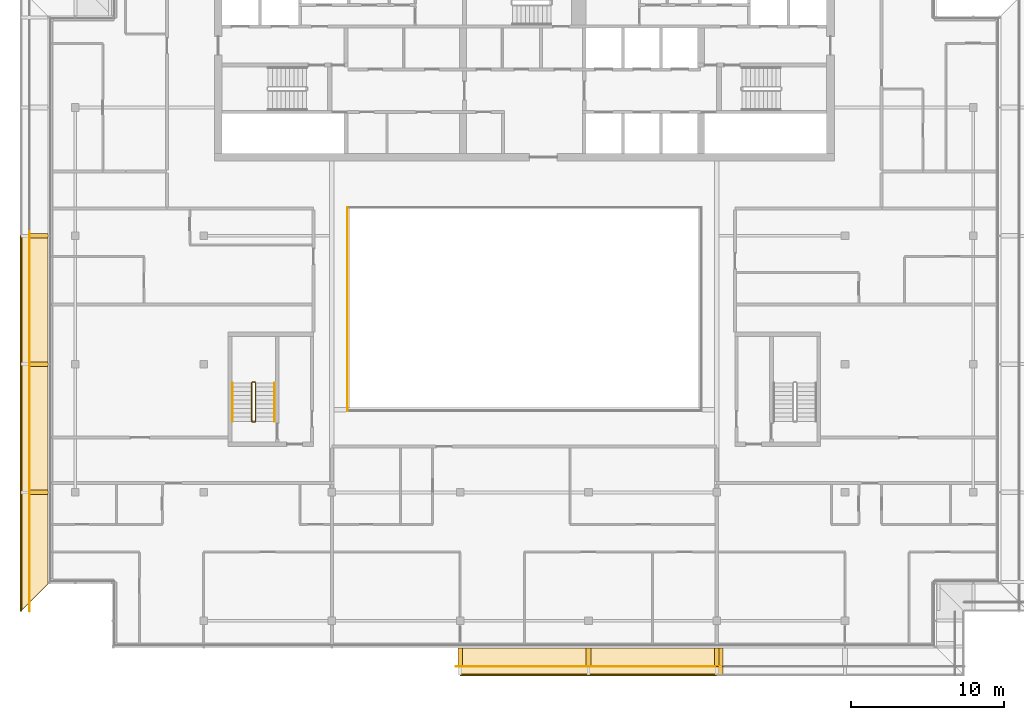
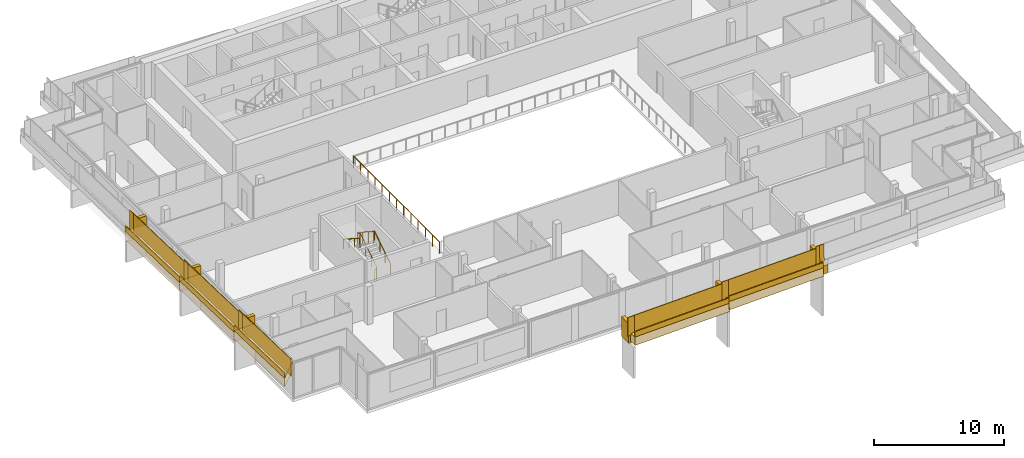
# One storey, part 22 of 26: 17 coverings, 16 railings.
"""IFC4 building model written with IfcOpenShell, lengths in metres."""

import ifcopenshell
import ifcopenshell.guid

model = None  # the IFC model being written
_history = None  # IfcOwnerHistory: only IFC2X3 demands one
_inside = {}  # id of a spatial element -> (the spatial element, [elements in it])
_under = {}  # id of a project, library or spatial element -> (it, [spatial elements below it])
_declared = {}  # id of a project -> (the project, [libraries it declares])
_typed = {}  # id of a type object -> (the type object, [elements of that type])
_made_of = {}  # id of a material, layer set ... -> (it, [elements and type objects made of it])


def new_model(schema):
    """Start an empty IFC model of exactly this schema.

    Asked for "IFC4X3", IfcOpenShell would pick the latest addendum, in which some entities
    have other attributes; the version numbers below select the first issue.
    IFC2X3 requires an IfcOwnerHistory on every rooted entity: one is made here for all.
    """
    global model, _history
    if schema == "IFC4X3":
        model = ifcopenshell.file(schema_version=(4, 3, 0, 0))
    else:
        model = ifcopenshell.file(schema=schema)
    _inside.clear()
    _under.clear()
    _declared.clear()
    _typed.clear()
    _made_of.clear()
    _history = None
    if model.schema == "IFC2X3":
        org = make("IfcOrganization", Name="unknown")
        user = make(
            "IfcPersonAndOrganization",
            ThePerson=make("IfcPerson", FamilyName="unknown"),
            TheOrganization=org,
        )
        app = make(
            "IfcApplication",
            ApplicationDeveloper=org,
            Version="unknown",
            ApplicationFullName="unknown",
            ApplicationIdentifier="unknown",
        )
        _history = make(
            "IfcOwnerHistory",
            OwningUser=user,
            OwningApplication=app,
            ChangeAction="ADDED",
            CreationDate=0,
        )
    return model


def make(cls, **values):
    """One entity of the class cls with the attributes given. An attribute that is None is left unset."""
    return model.create_entity(
        cls, **{name: value for name, value in values.items() if value is not None}
    )


def rooted(cls, **values):
    """An entity with a GlobalId (a new one), such as an element, a storey or a relation."""
    return make(cls, GlobalId=ifcopenshell.guid.new(), OwnerHistory=_history, **values)


def si_unit(unit_type, name, prefix=None):
    """IfcSIUnit, for example si_unit("LENGTHUNIT", "METRE", prefix="MILLI")."""
    return make("IfcSIUnit", UnitType=unit_type, Prefix=prefix, Name=name)


def assignment(units):
    """IfcUnitAssignment: the units of a project."""
    return None if units is None else make("IfcUnitAssignment", Units=units)


def point(xyz):
    """IfcCartesianPoint."""
    return None if xyz is None else make("IfcCartesianPoint", Coordinates=xyz)


def direction(xyz):
    """IfcDirection."""
    return None if xyz is None else make("IfcDirection", DirectionRatios=xyz)


def frame(location, z_axis=None, x_axis=None):
    """IfcAxis2Placement3D, a coordinate frame: its origin and axes. An axis left out is left unset."""
    return make(
        "IfcAxis2Placement3D",
        Location=point(location),
        Axis=direction(z_axis),
        RefDirection=direction(x_axis),
    )


def frame_2d(location, x_axis=None):
    """IfcAxis2Placement2D, a coordinate frame in the plane: its origin and x axis."""
    return make(
        "IfcAxis2Placement2D", Location=point(location), RefDirection=direction(x_axis)
    )


def origin():
    """The frame at (0, 0, 0) with its axes left unset."""
    return frame((0.0, 0.0, 0.0))


def origin_2d():
    """The frame at (0, 0) in the plane with its x axis left unset."""
    return frame_2d((0.0, 0.0))


def place(relative_to, where):
    """IfcLocalPlacement: puts the frame where relative to a parent placement (None: the world)."""
    return make(
        "IfcLocalPlacement", PlacementRelTo=relative_to, RelativePlacement=where
    )


def context(
    kind, dimensions, precision=None, world=None, true_north=None, identifier=None
):
    """IfcGeometricRepresentationContext, for example the 3D "Model" context."""
    return make(
        "IfcGeometricRepresentationContext",
        ContextIdentifier=identifier,
        ContextType=kind,
        CoordinateSpaceDimension=dimensions,
        Precision=precision,
        WorldCoordinateSystem=world,
        TrueNorth=true_north,
    )


def subcontext(parent, identifier, kind, view, scale=None):
    """IfcGeometricRepresentationSubContext, for example "Body" below "Model"."""
    return make(
        "IfcGeometricRepresentationSubContext",
        ContextIdentifier=identifier,
        ContextType=kind,
        ParentContext=parent,
        TargetScale=scale,
        TargetView=view,
    )


def project(units=None, contexts=None):
    """IfcProject with its units and contexts."""
    return rooted(
        "IfcProject",
        Name="project",
        RepresentationContexts=contexts,
        UnitsInContext=assignment(units),
    )


def spatial(cls, under=None, at=None, **own):
    """A site, building, storey or space (cls), placed at a placement, below another one or the project."""
    s = rooted(cls, ObjectPlacement=at, **own)
    if under is not None:
        _under.setdefault(under.id(), (under, []))[1].append(s)
    return s


def polyline(points):
    """IfcPolyline through the points."""
    return make("IfcPolyline", Points=[point(p) for p in points])


def profile(cls, at=None, kind="AREA", **sizes):
    """A parametric profile (cls). Its sizes go by their IFC names, for example OverallWidth=200.0."""
    return make(cls, ProfileType=kind, Position=at, **sizes)


def rectangle(**sizes):
    """IfcRectangleProfileDef."""
    return profile("IfcRectangleProfileDef", **sizes)


def circle(**sizes):
    """IfcCircleProfileDef."""
    return profile("IfcCircleProfileDef", **sizes)


def outline(outer, holes=None, kind="AREA"):
    """IfcArbitraryClosedProfileDef: a profile drawn as a closed curve; with holes, ...WithVoids."""
    if holes is None:
        return make("IfcArbitraryClosedProfileDef", ProfileType=kind, OuterCurve=outer)
    return make(
        "IfcArbitraryProfileDefWithVoids",
        ProfileType=kind,
        OuterCurve=outer,
        InnerCurves=holes,
    )


def extrude(swept, where, along, depth):
    """IfcExtrudedAreaSolid: the profile swept, set in the frame where, extruded along a direction by depth."""
    return make(
        "IfcExtrudedAreaSolid",
        SweptArea=swept,
        Position=where,
        ExtrudedDirection=direction(along),
        Depth=depth,
    )


def shape(context_of_items, identifier, shape_type, items):
    """IfcShapeRepresentation: the items that make up one representation, for example the "Body"."""
    return make(
        "IfcShapeRepresentation",
        ContextOfItems=context_of_items,
        RepresentationIdentifier=identifier,
        RepresentationType=shape_type,
        Items=items,
    )


def material(Name=None, Category=None):
    """IfcMaterial."""
    return make("IfcMaterial", Name=Name, Category=Category)


def layer(
    of_material, thickness, ventilated=None, Name=None, Category=None, Priority=None
):
    """IfcMaterialLayer: one layer of a wall or slab, of a material (None: an air gap)."""
    return make(
        "IfcMaterialLayer",
        Material=of_material,
        LayerThickness=thickness,
        IsVentilated=ventilated,
        Name=Name,
        Category=Category,
        Priority=Priority,
    )


def layer_set(layers, Name=None):
    """IfcMaterialLayerSet."""
    return make("IfcMaterialLayerSet", MaterialLayers=layers, LayerSetName=Name)


def made_of(thing, what):
    """Note that an element or type object is made of a material, layer set ...; save() writes the relation."""
    if what is not None:
        _made_of.setdefault(what.id(), (what, []))[1].append(thing)
    return thing


def type_object(cls, material=None, **own):
    """A type object (cls), such as IfcWallType, which elements share."""
    return made_of(rooted(cls, **own), material)


def element(
    cls,
    number,
    at=None,
    inside=None,
    cuts=None,
    type_object=None,
    material=None,
    context=None,
    identifier="Body",
    shape_type=None,
    held_by="IfcProductDefinitionShape",
    body=None,
    shapes=None,
    **own,
):
    """One element of the class cls, such as IfcWall. Its Tag is "e" and its number.

    at: its placement. inside: the storey or other place that contains it. cuts: it is an
    opening in that element (IfcRelVoidsElement). A single representation is given by context,
    identifier, shape_type and body (its items); several are given by shapes. held_by: the class
    of the entity that holds the representations. save() writes the other relations.
    """
    e = rooted(cls, Tag="e%d" % number, ObjectPlacement=at, **own)
    if body is not None:
        shapes = [shape(context, identifier, shape_type, body)]
    if shapes is not None:
        e.Representation = make(held_by, Representations=shapes)
    if inside is not None:
        _inside.setdefault(inside.id(), (inside, []))[1].append(e)
    if cuts is not None:
        rooted(
            "IfcRelVoidsElement", RelatingBuildingElement=cuts, RelatedOpeningElement=e
        )
    if type_object is not None:
        _typed.setdefault(type_object.id(), (type_object, []))[1].append(e)
    return made_of(e, material)


def aggregate(whole, parts):
    """IfcRelAggregates: a whole, such as a stair, and the parts it consists of."""
    return rooted("IfcRelAggregates", RelatingObject=whole, RelatedObjects=parts)


def save(model, path):
    """Write the relations noted so far, then the file.

    IfcRelAggregates (storeys below a building ...), IfcRelContainedInSpatialStructure (elements
    in a storey), IfcRelDefinesByType, IfcRelAssociatesMaterial and IfcRelDeclares: one each for
    every whole, place, type object, material and project.
    """
    for whole, parts in _under.values():
        aggregate(whole, parts)
    for where, things in _inside.values():
        rooted(
            "IfcRelContainedInSpatialStructure",
            RelatedElements=things,
            RelatingStructure=where,
        )
    for kind, things in _typed.values():
        rooted("IfcRelDefinesByType", RelatedObjects=things, RelatingType=kind)
    for what, things in _made_of.values():
        rooted("IfcRelAssociatesMaterial", RelatedObjects=things, RelatingMaterial=what)
    for by, libraries in _declared.values():
        rooted("IfcRelDeclares", RelatingContext=by, RelatedDefinitions=libraries)
    model.write(path)


model = new_model("IFC4")

# Units and contexts
model_context = context("Model", 3, precision=1e-05, world=origin(), true_north=direction((0.0, 1.0)))
body_context = subcontext(model_context, "Body", "Model", "MODEL_VIEW")
ifc_project = project(units=[si_unit("LENGTHUNIT", "METRE"), si_unit("AREAUNIT", "SQUARE_METRE"), si_unit("VOLUMEUNIT", "CUBIC_METRE"), si_unit("PLANEANGLEUNIT", "RADIAN"), si_unit("MASSUNIT", "GRAM", prefix="KILO")], contexts=[model_context])

# Site, building, storey
site_placement = place(None, origin())
site = spatial("IfcSite", under=ifc_project, at=site_placement, CompositionType="ELEMENT")
building_placement = place(site_placement, origin())
building = spatial("IfcBuilding", under=site, at=building_placement, Name="Saffron Gate Tower", CompositionType="ELEMENT")
storey_placement = place(building_placement, frame((0.0, 0.0, 277.949951171875)))
storey = spatial("IfcBuildingStorey", under=building, at=storey_placement, Name="L67", CompositionType="ELEMENT", Elevation=277.949951171875)

# Railings
ifc_material_1 = material(Name="Stainless steel and laminated glass", Category="steel")
railing_type_1 = type_object("IfcRailingType", Name="AG1 Atrium edge guard 1100", PredefinedType="GUARDRAIL", material=ifc_material_1)
railing_1_placement = place(storey_placement, frame((76.02001953125, 45.5400390625, 0.0)))
element("IfcRailing", 1, at=railing_1_placement, inside=storey, type_object=railing_type_1, Name="Guard E3-1", PredefinedType="GUARDRAIL", context=body_context, shape_type="SweptSolid", body=[
    extrude(circle(Radius=0.02392578125, at=origin_2d()), frame((0.0, 0.0, 1.076171875), z_axis=(0.0, 1.0, 0.0), x_axis=(-1.0, 0.0, 0.0)), (0.0, 0.0, 1.0), 13.320068359375),
    extrude(circle(Radius=0.02099609375, at=origin_2d()), origin(), (0.0, 0.0, 1.0), 1.052001953125),
    extrude(circle(Radius=0.02099609375, at=origin_2d()), frame((0.0, 1.110107421875, 0.0)), (0.0, 0.0, 1.0), 1.052001953125),
    extrude(circle(Radius=0.02099609375, at=origin_2d()), frame((0.0, 2.219970703125, 0.0)), (0.0, 0.0, 1.0), 1.052001953125),
    extrude(circle(Radius=0.02099609375, at=origin_2d()), frame((0.0, 3.330078125, 0.0)), (0.0, 0.0, 1.0), 1.052001953125),
    extrude(circle(Radius=0.02099609375, at=origin_2d()), frame((0.0, 4.43994140625, 0.0)), (0.0, 0.0, 1.0), 1.052001953125),
    extrude(circle(Radius=0.02099609375, at=origin_2d()), frame((0.0, 5.550048828125, 0.0)), (0.0, 0.0, 1.0), 1.052001953125),
    extrude(circle(Radius=0.02099609375, at=origin_2d()), frame((0.0, 6.66015625, 0.0)), (0.0, 0.0, 1.0), 1.052001953125),
    extrude(circle(Radius=0.02099609375, at=origin_2d()), frame((0.0, 7.77001953125, 0.0)), (0.0, 0.0, 1.0), 1.052001953125),
    extrude(circle(Radius=0.02099609375, at=origin_2d()), frame((0.0, 8.880126953125, 0.0)), (0.0, 0.0, 1.0), 1.052001953125),
    extrude(circle(Radius=0.02099609375, at=origin_2d()), frame((0.0, 9.989990234375, 0.0)), (0.0, 0.0, 1.0), 1.052001953125),
    extrude(circle(Radius=0.02099609375, at=origin_2d()), frame((0.0, 11.10009765625, 0.0)), (0.0, 0.0, 1.0), 1.052001953125),
    extrude(circle(Radius=0.02099609375, at=origin_2d()), frame((0.0, 12.2099609375, 0.0)), (0.0, 0.0, 1.0), 1.052001953125),
    extrude(circle(Radius=0.02099609375, at=origin_2d()), frame((0.0, 13.320068359375, 0.0)), (0.0, 0.0, 1.0), 1.052001953125),
])
railing_type_2 = type_object("IfcRailingType", Name="CR1 Stair guard 1100", PredefinedType="GUARDRAIL", material=ifc_material_1)
railing_2_placement = place(storey_placement, frame((69.800048828125, 44.800048828125, 0.0)))
element("IfcRailing", 2, at=railing_2_placement, inside=storey, type_object=railing_type_2, Name="L67 ST-D stair guard 1", PredefinedType="GUARDRAIL", context=body_context, shape_type="SweptSolid", body=[
    extrude(circle(Radius=0.02392578125, at=origin_2d()), frame((0.0, 0.0, 1.076171875), z_axis=(1.0, 0.0, 0.0), x_axis=(0.0, 1.0, 0.0)), (0.0, 0.0, 1.0), 0.14990234375),
    extrude(circle(Radius=0.02392578125, at=origin_2d()), frame((0.14990234375, 0.0, 1.076171875), z_axis=(0.258847668887, 0.258847668887, 0.930588936439), x_axis=(-0.707106781187, 0.707106781187, 0.0)), (0.0, 0.0, 1.0), 0.193359375),
    extrude(circle(Radius=0.02392578125, at=origin_2d()), frame((0.199951171875, 0.050048828125, 1.255859375), z_axis=(0.0, 0.841162588446, 0.540782303519), x_axis=(-1.0, 0.0, 0.0)), (0.0, 0.0, 1.0), 2.995849609375),
    extrude(circle(Radius=0.02392578125, at=origin_2d()), frame((0.199951171875, 2.570068359375, 2.8759765625), z_axis=(-0.708833529934, 0.705375805398, 0.0), x_axis=(-0.705375805398, -0.708833529934, 0.0)), (0.0, 0.0, 1.0), 0.070556640625),
    extrude(circle(Radius=0.02392578125, at=origin_2d()), frame((0.14990234375, 2.619873046875, 2.8759765625), z_axis=(-1.0, 0.0, 0.0), x_axis=(0.0, -1.0, 0.0)), (0.0, 0.0, 1.0), 0.14990234375),
    extrude(circle(Radius=0.02392578125, at=origin_2d()), frame((0.0, 2.619873046875, 2.8759765625), z_axis=(-0.258932105505, -0.257669022063, 0.930892496375), x_axis=(0.705375805398, -0.708833529934, 0.0)), (0.0, 0.0, 1.0), 0.193359375),
    extrude(circle(Radius=0.02392578125, at=origin_2d()), frame((-0.050048828125, 2.570068359375, 3.05615234375), z_axis=(0.0, -0.841162588446, 0.540782303519), x_axis=(1.0, 0.0, 0.0)), (0.0, 0.0, 1.0), 2.995849609375),
    extrude(circle(Radius=0.02099609375, at=origin_2d()), origin(), (0.0, 0.0, 1.0), 1.052001953125),
    extrude(circle(Radius=0.02099609375, at=origin_2d()), frame((0.14990234375, 0.0, 0.0)), (0.0, 0.0, 1.0), 1.052001953125),
    extrude(circle(Radius=0.02099609375, at=origin_2d()), frame((0.199951171875, 0.050048828125, 0.179931640625)), (0.0, 0.0, 1.0), 1.052001953125),
    extrude(circle(Radius=0.02099609375, at=origin_2d()), frame((0.199951171875, 0.89013671875, 0.719970703125)), (0.0, 0.0, 1.0), 1.052001953125),
    extrude(circle(Radius=0.02099609375, at=origin_2d()), frame((0.199951171875, 1.72998046875, 1.260009765625)), (0.0, 0.0, 1.0), 1.052001953125),
    extrude(circle(Radius=0.02099609375, at=origin_2d()), frame((0.199951171875, 2.570068359375, 1.800048828125)), (0.0, 0.0, 1.0), 1.052001953125),
    extrude(circle(Radius=0.02099609375, at=origin_2d()), frame((0.14990234375, 2.619873046875, 1.800048828125)), (0.0, 0.0, 1.0), 1.052001953125),
    extrude(circle(Radius=0.02099609375, at=origin_2d()), frame((0.0, 2.619873046875, 1.800048828125)), (0.0, 0.0, 1.0), 1.052001953125),
    extrude(circle(Radius=0.02099609375, at=origin_2d()), frame((-0.050048828125, 2.570068359375, 1.97998046875)), (0.0, 0.0, 1.0), 1.052001953125),
    extrude(circle(Radius=0.02099609375, at=origin_2d()), frame((-0.050048828125, 1.72998046875, 2.52001953125)), (0.0, 0.0, 1.0), 1.052001953125),
    extrude(circle(Radius=0.02099609375, at=origin_2d()), frame((-0.050048828125, 0.89013671875, 3.06005859375)), (0.0, 0.0, 1.0), 1.052001953125),
    extrude(circle(Radius=0.02099609375, at=origin_2d()), frame((-0.050048828125, 0.050048828125, 3.60009765625)), (0.0, 0.0, 1.0), 1.052001953125),
])
ifc_material_2 = material(Name="Stainless steel", Category="steel")
railing_type_3 = type_object("IfcRailingType", Name="CR2 Stair handrail 900", PredefinedType="HANDRAIL", material=ifc_material_2)
railing_3_placement = place(storey_placement, frame((71.25, 44.85009765625, 0.179931640625)))
element("IfcRailing", 3, at=railing_3_placement, inside=storey, type_object=railing_type_3, Name="L67 ST-D stair handrail 1", PredefinedType="HANDRAIL", context=body_context, shape_type="SweptSolid", body=[
    extrude(circle(Radius=0.02392578125, at=origin_2d()), frame((0.0, 0.0, 0.8759765625), z_axis=(0.0, 0.841162588446, 0.540782303519), x_axis=(-1.0, 0.0, 0.0)), (0.0, 0.0, 1.0), 2.995849609375),
    extrude(circle(Radius=0.02099609375, at=origin_2d()), origin(), (0.0, 0.0, 1.0), 0.851806640625),
    extrude(circle(Radius=0.02099609375, at=origin_2d()), frame((0.0, 0.840087890625, 0.5400390625)), (0.0, 0.0, 1.0), 0.851806640625),
    extrude(circle(Radius=0.02099609375, at=origin_2d()), frame((0.0, 1.679931640625, 1.080078125)), (0.0, 0.0, 1.0), 0.851806640625),
    extrude(circle(Radius=0.02099609375, at=origin_2d()), frame((0.0, 2.52001953125, 1.6201171875)), (0.0, 0.0, 1.0), 0.851806640625),
])
railing_4_placement = place(storey_placement, frame((68.5, 47.3701171875, 1.97998046875)))
element("IfcRailing", 4, at=railing_4_placement, inside=storey, type_object=railing_type_3, Name="L67 ST-D stair handrail 2", PredefinedType="HANDRAIL", context=body_context, shape_type="SweptSolid", body=[
    extrude(circle(Radius=0.02392578125, at=origin_2d()), frame((0.0, 0.0, 0.8759765625), z_axis=(0.0, -0.841162588446, 0.540782303519), x_axis=(1.0, 0.0, 0.0)), (0.0, 0.0, 1.0), 2.995849609375),
    extrude(circle(Radius=0.02099609375, at=origin_2d()), origin(), (0.0, 0.0, 1.0), 0.851806640625),
    extrude(circle(Radius=0.02099609375, at=origin_2d()), frame((0.0, -0.840087890625, 0.5400390625)), (0.0, 0.0, 1.0), 0.851806640625),
    extrude(circle(Radius=0.02099609375, at=origin_2d()), frame((0.0, -1.679931640625, 1.080078125)), (0.0, 0.0, 1.0), 0.851806640625),
    extrude(circle(Radius=0.02099609375, at=origin_2d()), frame((0.0, -2.52001953125, 1.6201171875)), (0.0, 0.0, 1.0), 0.851806640625),
])

# Coverings
ifc_material_3 = material(Name="Timber, thermally modified ash", Category="wood")
ifc_layer_1 = layer(ifc_material_3, 0.800048828125)
ifc_layer_set_1 = layer_set([ifc_layer_1], Name="LD1 ledge timber")
covering_type_1 = type_object("IfcCoveringType", Name="LD1 ledge timber", PredefinedType="CLADDING", material=ifc_layer_set_1)
covering_1_placement = place(storey_placement, frame((56.39990234375, 57.0, 2.6474609375), z_axis=(0.0, 0.028791175352, 0.999585448184), x_axis=(0.0, -0.999585448184, 0.028791175352)))
element("IfcCovering", 5, at=covering_1_placement, inside=storey, type_object=covering_type_1, Name="LEDGE", PredefinedType="CLADDING", context=body_context, shape_type="SweptSolid", body=[
    extrude(outline(polyline([(0.0, 0.0), (8.403385982666892, 0.0), (8.403385982666892, -1.7998046875), (0.0, -1.7998046875), (0.0, 0.0)])), origin(), (0.0, 0.0, -1.0), 0.800048828125),
])
covering_2_placement = place(storey_placement, frame((56.39990234375, 48.60009765625, 3.05419921875), z_axis=(0.0, 0.028790339263, 0.999585472266), x_axis=(0.0, -0.999585472266, 0.028790339263)))
element("IfcCovering", 6, at=covering_2_placement, inside=storey, type_object=covering_type_1, Name="LEDGE", PredefinedType="CLADDING", context=body_context, shape_type="SweptSolid", body=[
    extrude(outline(polyline([(0.0, 0.0), (8.403630022085892, 0.0), (8.403630022085892, -1.7998046875), (0.0, -1.7998046875), (0.0, 0.0)])), origin(), (0.0, 0.0, -1.0), 0.800048828125),
])
covering_3_placement = place(storey_placement, frame((56.39990234375, 40.199951171875, 3.4609375), z_axis=(-2.3920834e-05, 0.028789477025, 0.999585496814), x_axis=(1.72e-10, -0.9995854971, 0.028789477033)))
element("IfcCovering", 7, at=covering_3_placement, inside=storey, type_object=covering_type_1, Name="LEDGE", PredefinedType="CLADDING", context=body_context, shape_type="SweptSolid", body=[
    extrude(outline(polyline([(0.0, 0.0), (6.002489288687248, 8.470329472543003e-22), (7.80328207139786, -1.7998046893537554), (-3.087962377470193e-10, -1.7998046869850703), (0.0, 0.0)])), origin(), (0.0, 0.0, -1.0), 0.800048828125),
])
covering_4_placement = place(storey_placement, frame((83.39990234375, 30.0, 0.032958984375), z_axis=(-0.028790339263, 0.0, 0.999585472266), x_axis=(0.999585472266, 0.0, 0.028790339263)))
element("IfcCovering", 8, at=covering_4_placement, inside=storey, type_object=covering_type_1, Name="LEDGE", PredefinedType="CLADDING", context=body_context, shape_type="SweptSolid", body=[
    extrude(outline(polyline([(0.0, 0.0), (8.403630022085892, 0.0), (8.403630022085892, -1.800048828125), (0.0, -1.800048828125), (0.0, 0.0)])), origin(), (0.0, 0.0, -1.0), 0.800048828125),
])
covering_5_placement = place(storey_placement, frame((91.800048828125, 30.0, 0.439697265625), z_axis=(-0.028791175352, 0.0, 0.999585448184), x_axis=(0.999585448184, 0.0, 0.028791175352)))
element("IfcCovering", 9, at=covering_5_placement, inside=storey, type_object=covering_type_1, Name="LEDGE", PredefinedType="CLADDING", context=body_context, shape_type="SweptSolid", body=[
    extrude(outline(polyline([(0.0, 0.0), (8.403385982666892, 0.0), (8.403385982666892, -1.800048828125), (0.0, -1.800048828125), (0.0, 0.0)])), origin(), (0.0, 0.0, -1.0), 0.800048828125),
])
covering_6_placement = place(storey_placement, frame((100.199951171875, 30.0, 0.846435546875), z_axis=(-0.028664238881, 0.0, 0.999589096284), x_axis=(0.999589096284, 0.0, 0.028664238881)))
element("IfcCovering", 10, at=covering_6_placement, inside=storey, type_object=covering_type_1, Name="LEDGE", PredefinedType="CLADDING", context=body_context, shape_type="SweptSolid", body=[
    extrude(outline(polyline([(0.0, 0.0), (0.40031097364171886, 0.0), (0.40031097364171886, -1.8000488281250004), (0.0, -1.8000488281250004), (0.0, 0.0)])), origin(), (0.0, 0.0, -1.0), 0.800048828125),
])
ifc_layer_2 = layer(ifc_material_3, 0.080078125)
ifc_layer_set_2 = layer_set([ifc_layer_2], Name="LD2 ledge planter trough")
covering_type_2 = type_object("IfcCoveringType", Name="LD2 ledge planter trough", PredefinedType="CLADDING", material=ifc_layer_set_2)
covering_7_placement = place(storey_placement, frame((54.60009765625, 57.0, 2.6474609375), z_axis=(-1.0, 0.0, 0.0), x_axis=(0.0, -0.999585448184, 0.028791175352)))
element("IfcCovering", 11, at=covering_7_placement, inside=storey, type_object=covering_type_2, Name="LEDGE planter trough", PredefinedType="CLADDING", context=body_context, shape_type="SweptSolid", body=[
    extrude(outline(polyline([(0.0, 0.0), (8.403385982666892, 0.0), (8.417781570342743, 0.49979272409216496), (0.014395587675851172, 0.4997927240921649), (0.0, 0.0)])), origin(), (0.0, 0.0, -1.0), 0.080078125),
])
covering_8_placement = place(storey_placement, frame((54.60009765625, 48.60009765625, 3.05419921875), z_axis=(-1.0, 0.0, 0.0), x_axis=(0.0, -0.999585472266, 0.028790339263)))
element("IfcCovering", 12, at=covering_8_placement, inside=storey, type_object=covering_type_2, Name="LEDGE planter trough", PredefinedType="CLADDING", context=body_context, shape_type="SweptSolid", body=[
    extrude(outline(polyline([(0.0, 0.0), (8.403630022085892, 0.0), (8.418025191717298, 0.4997927361329725), (0.014395169631405694, 0.4997927361329725), (0.0, 0.0)])), origin(), (0.0, 0.0, -1.0), 0.080078125),
])
covering_9_placement = place(storey_placement, frame((54.60009765625, 40.199951171875, 3.4609375), z_axis=(-1.0, 0.0, 0.0), x_axis=(0.0, -0.999585655924, 0.028783962047)))
element("IfcCovering", 13, at=covering_9_placement, inside=storey, type_object=covering_type_2, Name="LEDGE planter trough", PredefinedType="CLADDING", context=body_context, shape_type="SweptSolid", body=[
    extrude(outline(polyline([(0.0, 0.0), (7.803282071825423, 2.7755575615628914e-17), (7.817674052849086, 0.4997928279619612), (0.014391981023662846, 0.4997928279619612), (0.0, 0.0)])), origin(), (0.0, 0.0, -1.0), 0.080078125),
])
covering_10_placement = place(storey_placement, frame((83.39990234375, 28.199951171875, 0.032958984375), z_axis=(0.0, -1.0, 0.0), x_axis=(0.999585472266, 0.0, 0.028790339263)))
element("IfcCovering", 14, at=covering_10_placement, inside=storey, type_object=covering_type_2, Name="LEDGE planter trough", PredefinedType="CLADDING", context=body_context, shape_type="SweptSolid", body=[
    extrude(outline(polyline([(0.0, 0.0), (8.403630022085892, 0.0), (8.418025191717298, 0.4997927361329725), (0.014395169631405694, 0.4997927361329725), (0.0, 0.0)])), origin(), (0.0, 0.0, -1.0), 0.080078125),
])
covering_11_placement = place(storey_placement, frame((91.800048828125, 28.199951171875, 0.439697265625), z_axis=(0.0, -1.0, 0.0), x_axis=(0.999585448184, 0.0, 0.028791175352)))
element("IfcCovering", 15, at=covering_11_placement, inside=storey, type_object=covering_type_2, Name="LEDGE planter trough", PredefinedType="CLADDING", context=body_context, shape_type="SweptSolid", body=[
    extrude(outline(polyline([(0.0, 0.0), (8.403385982666892, 0.0), (8.417781570342743, 0.49979272409216496), (0.014395587675851172, 0.4997927240921649), (0.0, 0.0)])), origin(), (0.0, 0.0, -1.0), 0.080078125),
])
ifc_layer_3 = layer(ifc_material_3, 0.300048828125)
ifc_layer_set_3 = layer_set([ifc_layer_3], Name="LD3 ledge riser fin")
covering_type_3 = type_object("IfcCoveringType", Name="LD3 ledge riser fin", PredefinedType="CLADDING", material=ifc_layer_set_3)
for number, where, z_axis, x_axis, name in (
    (16, (55.840087890625, 57.0, 1.6826171875), (0.0, 0.0, 1.0), (0.0, -1.0, 0.0), "LEDGE riser fin"),
    (17, (55.840087890625, 48.60009765625, 2.08935546875), (0.0, 0.0, 1.0), (0.0, -1.0, 0.0), "LEDGE riser fin"),
    (18, (55.840087890625, 40.199951171875, 2.49609375), (0.0, 0.0, 1.0), (0.0, -1.0, 0.0), "LEDGE riser fin"),
    (19, (83.39990234375, 29.43994140625, -0.931884765625), (0.0, 0.0, 1.0), (1.0, 0.0, 0.0), "LEDGE riser fin"),
    (20, (91.800048828125, 29.43994140625, -0.525146484375), (0.0, 0.0, 1.0), (1.0, 0.0, 0.0), "LEDGE riser fin"),
    (21, (100.199951171875, 29.43994140625, -0.118408203125), (0.0, 0.0, 1.0), (1.0, 0.0, 0.0), "LEDGE riser fin"),
):
    element("IfcCovering", number, at=place(storey_placement, frame(where, z_axis=z_axis, x_axis=x_axis)), inside=storey, type_object=covering_type_3, Name=name, PredefinedType="CLADDING", context=body_context, shape_type="SweptSolid", body=[
        extrude(rectangle(XDim=0.300048828125, YDim=1.1201171875, at=origin_2d()), origin(), (0.0, 0.0, 1.0), 1.86474609375),
    ])

# Railings
railing_type_4 = type_object("IfcRailingType", Name="LG1 ledge balustrade", PredefinedType="BALUSTRADE", material=ifc_material_3)
railing_5_placement = place(storey_placement, frame((55.199951171875, 57.0, 2.6474609375)))
element("IfcRailing", 22, at=railing_5_placement, inside=storey, type_object=railing_type_4, Name="LEDGE BALUSTRADE", PredefinedType="BALUSTRADE", context=body_context, shape_type="SweptSolid", body=[
    extrude(rectangle(XDim=0.06005859375, YDim=1.60009765625, at=origin_2d()), frame((0.0, 0.0, 0.800048828125), z_axis=(0.0, -0.999585448184, 0.028791175352), x_axis=(1.0, 0.0, 0.0)), (0.0, 0.0, 1.0), 8.4033203125),
])
railing_6_placement = place(storey_placement, frame((55.199951171875, 57.300048828125, 2.482666015625)))
element("IfcRailing", 23, at=railing_6_placement, inside=storey, type_object=railing_type_4, Name="LEDGE BALUSTRADE", PredefinedType="BALUSTRADE", context=body_context, shape_type="SweptSolid", body=[
    extrude(rectangle(XDim=0.06005859375, YDim=1.7646484375, at=origin_2d()), frame((0.0, 0.0, 0.88232421875), z_axis=(0.0, -1.0, 0.0), x_axis=(1.0, 0.0, 0.0)), (0.0, 0.0, 1.0), 0.60009765625),
])
railing_7_placement = place(storey_placement, frame((55.199951171875, 48.60009765625, 3.05419921875)))
element("IfcRailing", 24, at=railing_7_placement, inside=storey, type_object=railing_type_4, Name="LEDGE BALUSTRADE", PredefinedType="BALUSTRADE", context=body_context, shape_type="SweptSolid", body=[
    extrude(rectangle(XDim=0.06005859375, YDim=1.60009765625, at=origin_2d()), frame((0.0, 0.0, 0.800048828125), z_axis=(0.0, -0.999585472266, 0.028790339263), x_axis=(1.0, 0.0, 0.0)), (0.0, 0.0, 1.0), 8.403564453125),
])
railing_8_placement = place(storey_placement, frame((55.199951171875, 48.89990234375, 2.889404296875)))
element("IfcRailing", 25, at=railing_8_placement, inside=storey, type_object=railing_type_4, Name="LEDGE BALUSTRADE", PredefinedType="BALUSTRADE", context=body_context, shape_type="SweptSolid", body=[
    extrude(rectangle(XDim=0.06005859375, YDim=1.7646484375, at=origin_2d()), frame((0.0, 0.0, 0.88232421875), z_axis=(0.0, -1.0, 0.0), x_axis=(1.0, 0.0, 0.0)), (0.0, 0.0, 1.0), 0.599853515625),
])
railing_9_placement = place(storey_placement, frame((55.199951171875, 40.199951171875, 3.4609375)))
element("IfcRailing", 26, at=railing_9_placement, inside=storey, type_object=railing_type_4, Name="LEDGE BALUSTRADE", PredefinedType="BALUSTRADE", context=body_context, shape_type="SweptSolid", body=[
    extrude(rectangle(XDim=0.06005859375, YDim=1.60009765625, at=origin_2d()), frame((0.0, 0.0, 0.800048828125), z_axis=(0.0, -0.999585655924, 0.028783962047), x_axis=(1.0, 0.0, 0.0)), (0.0, 0.0, 1.0), 7.80322265625),
])
railing_10_placement = place(storey_placement, frame((55.199951171875, 40.5, 3.296142578125)))
element("IfcRailing", 27, at=railing_10_placement, inside=storey, type_object=railing_type_4, Name="LEDGE BALUSTRADE", PredefinedType="BALUSTRADE", context=body_context, shape_type="SweptSolid", body=[
    extrude(rectangle(XDim=0.06005859375, YDim=1.7646484375, at=origin_2d()), frame((0.0, 0.0, 0.88232421875), z_axis=(0.0, -1.0, 0.0), x_axis=(1.0, 0.0, 0.0)), (0.0, 0.0, 1.0), 0.60009765625),
])
railing_11_placement = place(storey_placement, frame((83.39990234375, 28.800048828125, 0.032958984375)))
element("IfcRailing", 28, at=railing_11_placement, inside=storey, type_object=railing_type_4, Name="LEDGE BALUSTRADE", PredefinedType="BALUSTRADE", context=body_context, shape_type="SweptSolid", body=[
    extrude(rectangle(XDim=0.06005859375, YDim=1.60009765625, at=origin_2d()), frame((0.0, 0.0, 0.800048828125), z_axis=(0.999585472266, 0.0, 0.028790339263), x_axis=(0.0, 1.0, 0.0)), (0.0, 0.0, 1.0), 8.403564453125),
])
railing_12_placement = place(storey_placement, frame((83.10009765625, 28.800048828125, -0.1318359375)))
element("IfcRailing", 29, at=railing_12_placement, inside=storey, type_object=railing_type_4, Name="LEDGE BALUSTRADE", PredefinedType="BALUSTRADE", context=body_context, shape_type="SweptSolid", body=[
    extrude(rectangle(XDim=0.06005859375, YDim=1.7646484375, at=origin_2d()), frame((0.0, 0.0, 0.88232421875), z_axis=(1.0, 0.0, 0.0), x_axis=(0.0, 1.0, 0.0)), (0.0, 0.0, 1.0), 0.599853515625),
])
railing_13_placement = place(storey_placement, frame((91.800048828125, 28.800048828125, 0.439697265625)))
element("IfcRailing", 30, at=railing_13_placement, inside=storey, type_object=railing_type_4, Name="LEDGE BALUSTRADE", PredefinedType="BALUSTRADE", context=body_context, shape_type="SweptSolid", body=[
    extrude(rectangle(XDim=0.06005859375, YDim=1.60009765625, at=origin_2d()), frame((0.0, 0.0, 0.800048828125), z_axis=(0.999585448184, 0.0, 0.028791175352), x_axis=(0.0, 1.0, 0.0)), (0.0, 0.0, 1.0), 8.4033203125),
])
railing_14_placement = place(storey_placement, frame((91.5, 28.800048828125, 0.27490234375)))
element("IfcRailing", 31, at=railing_14_placement, inside=storey, type_object=railing_type_4, Name="LEDGE BALUSTRADE", PredefinedType="BALUSTRADE", context=body_context, shape_type="SweptSolid", body=[
    extrude(rectangle(XDim=0.06005859375, YDim=1.7646484375, at=origin_2d()), frame((0.0, 0.0, 0.88232421875), z_axis=(1.0, 0.0, 0.0), x_axis=(0.0, 1.0, 0.0)), (0.0, 0.0, 1.0), 0.60009765625),
])
railing_15_placement = place(storey_placement, frame((100.199951171875, 28.800048828125, 0.846435546875)))
element("IfcRailing", 32, at=railing_15_placement, inside=storey, type_object=railing_type_4, Name="LEDGE BALUSTRADE", PredefinedType="BALUSTRADE", context=body_context, shape_type="SweptSolid", body=[
    extrude(rectangle(XDim=0.06005859375, YDim=1.60009765625, at=origin_2d()), frame((0.0, 0.0, 0.800048828125), z_axis=(0.999589096284, 0.0, 0.028664238881), x_axis=(0.0, 1.0, 0.0)), (0.0, 0.0, 1.0), 0.400390625),
])
railing_16_placement = place(storey_placement, frame((99.89990234375, 28.800048828125, 0.681640625)))
element("IfcRailing", 33, at=railing_16_placement, inside=storey, type_object=railing_type_4, Name="LEDGE BALUSTRADE", PredefinedType="BALUSTRADE", context=body_context, shape_type="SweptSolid", body=[
    extrude(rectangle(XDim=0.06005859375, YDim=1.7646484375, at=origin_2d()), frame((0.0, 0.0, 0.88232421875), z_axis=(1.0, 0.0, 0.0), x_axis=(0.0, 1.0, 0.0)), (0.0, 0.0, 1.0), 0.60009765625),
])

save(model, "model.ifc")
